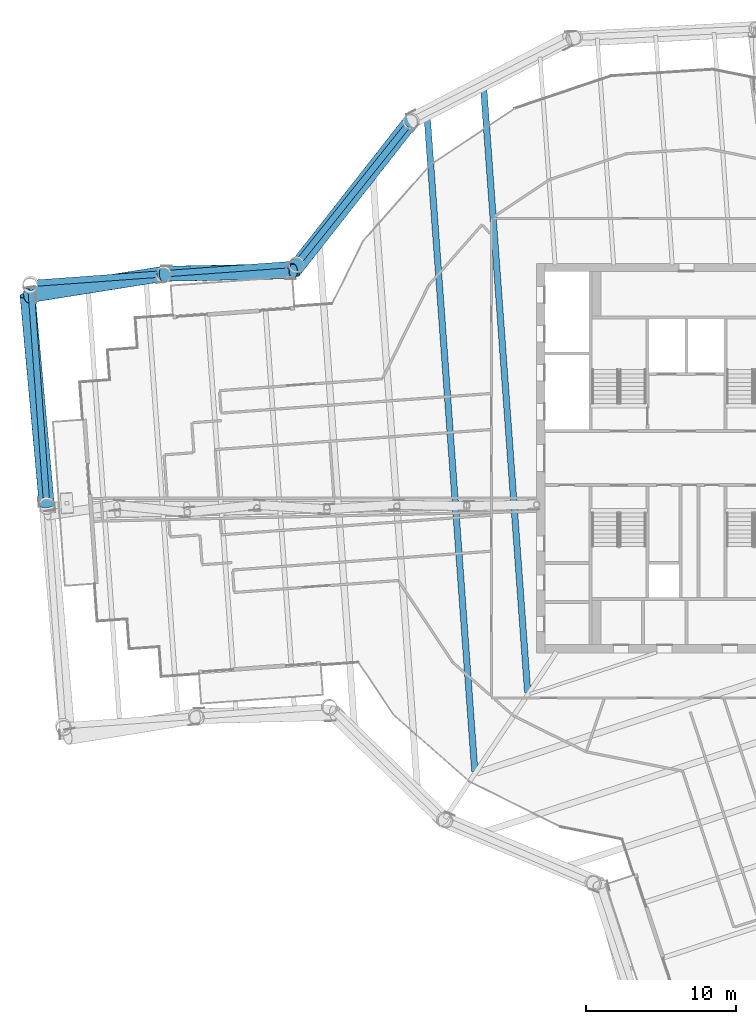
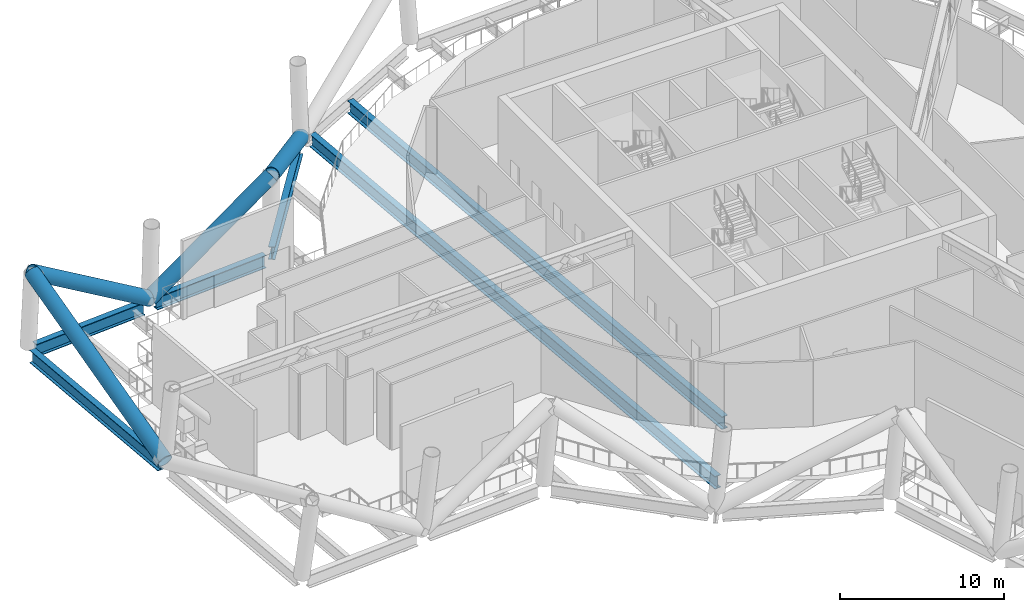
# One storey, part 5 of 33: 6 beams, 4 members.
"""IFC4 building model written with IfcOpenShell, lengths in metres."""

import ifcopenshell
import ifcopenshell.guid

model = None  # the IFC model being written
_history = None  # IfcOwnerHistory: only IFC2X3 demands one
_inside = {}  # id of a spatial element -> (the spatial element, [elements in it])
_under = {}  # id of a project, library or spatial element -> (it, [spatial elements below it])
_declared = {}  # id of a project -> (the project, [libraries it declares])
_typed = {}  # id of a type object -> (the type object, [elements of that type])
_made_of = {}  # id of a material, layer set ... -> (it, [elements and type objects made of it])


def new_model(schema):
    """Start an empty IFC model of exactly this schema.

    Asked for "IFC4X3", IfcOpenShell would pick the latest addendum, in which some entities
    have other attributes; the version numbers below select the first issue.
    IFC2X3 requires an IfcOwnerHistory on every rooted entity: one is made here for all.
    """
    global model, _history
    if schema == "IFC4X3":
        model = ifcopenshell.file(schema_version=(4, 3, 0, 0))
    else:
        model = ifcopenshell.file(schema=schema)
    _inside.clear()
    _under.clear()
    _declared.clear()
    _typed.clear()
    _made_of.clear()
    _history = None
    if model.schema == "IFC2X3":
        org = make("IfcOrganization", Name="unknown")
        user = make(
            "IfcPersonAndOrganization",
            ThePerson=make("IfcPerson", FamilyName="unknown"),
            TheOrganization=org,
        )
        app = make(
            "IfcApplication",
            ApplicationDeveloper=org,
            Version="unknown",
            ApplicationFullName="unknown",
            ApplicationIdentifier="unknown",
        )
        _history = make(
            "IfcOwnerHistory",
            OwningUser=user,
            OwningApplication=app,
            ChangeAction="ADDED",
            CreationDate=0,
        )
    return model


def make(cls, **values):
    """One entity of the class cls with the attributes given. An attribute that is None is left unset."""
    return model.create_entity(
        cls, **{name: value for name, value in values.items() if value is not None}
    )


def rooted(cls, **values):
    """An entity with a GlobalId (a new one), such as an element, a storey or a relation."""
    return make(cls, GlobalId=ifcopenshell.guid.new(), OwnerHistory=_history, **values)


def si_unit(unit_type, name, prefix=None):
    """IfcSIUnit, for example si_unit("LENGTHUNIT", "METRE", prefix="MILLI")."""
    return make("IfcSIUnit", UnitType=unit_type, Prefix=prefix, Name=name)


def assignment(units):
    """IfcUnitAssignment: the units of a project."""
    return None if units is None else make("IfcUnitAssignment", Units=units)


def point(xyz):
    """IfcCartesianPoint."""
    return None if xyz is None else make("IfcCartesianPoint", Coordinates=xyz)


def direction(xyz):
    """IfcDirection."""
    return None if xyz is None else make("IfcDirection", DirectionRatios=xyz)


def frame(location, z_axis=None, x_axis=None):
    """IfcAxis2Placement3D, a coordinate frame: its origin and axes. An axis left out is left unset."""
    return make(
        "IfcAxis2Placement3D",
        Location=point(location),
        Axis=direction(z_axis),
        RefDirection=direction(x_axis),
    )


def frame_2d(location, x_axis=None):
    """IfcAxis2Placement2D, a coordinate frame in the plane: its origin and x axis."""
    return make(
        "IfcAxis2Placement2D", Location=point(location), RefDirection=direction(x_axis)
    )


def origin():
    """The frame at (0, 0, 0) with its axes left unset."""
    return frame((0.0, 0.0, 0.0))


def origin_2d():
    """The frame at (0, 0) in the plane with its x axis left unset."""
    return frame_2d((0.0, 0.0))


def place(relative_to, where):
    """IfcLocalPlacement: puts the frame where relative to a parent placement (None: the world)."""
    return make(
        "IfcLocalPlacement", PlacementRelTo=relative_to, RelativePlacement=where
    )


def context(
    kind, dimensions, precision=None, world=None, true_north=None, identifier=None
):
    """IfcGeometricRepresentationContext, for example the 3D "Model" context."""
    return make(
        "IfcGeometricRepresentationContext",
        ContextIdentifier=identifier,
        ContextType=kind,
        CoordinateSpaceDimension=dimensions,
        Precision=precision,
        WorldCoordinateSystem=world,
        TrueNorth=true_north,
    )


def subcontext(parent, identifier, kind, view, scale=None):
    """IfcGeometricRepresentationSubContext, for example "Body" below "Model"."""
    return make(
        "IfcGeometricRepresentationSubContext",
        ContextIdentifier=identifier,
        ContextType=kind,
        ParentContext=parent,
        TargetScale=scale,
        TargetView=view,
    )


def project(units=None, contexts=None):
    """IfcProject with its units and contexts."""
    return rooted(
        "IfcProject",
        Name="project",
        RepresentationContexts=contexts,
        UnitsInContext=assignment(units),
    )


def spatial(cls, under=None, at=None, **own):
    """A site, building, storey or space (cls), placed at a placement, below another one or the project."""
    s = rooted(cls, ObjectPlacement=at, **own)
    if under is not None:
        _under.setdefault(under.id(), (under, []))[1].append(s)
    return s


def profile(cls, at=None, kind="AREA", **sizes):
    """A parametric profile (cls). Its sizes go by their IFC names, for example OverallWidth=200.0."""
    return make(cls, ProfileType=kind, Position=at, **sizes)


def hollow_circle(**sizes):
    """IfcCircleHollowProfileDef."""
    return profile("IfcCircleHollowProfileDef", **sizes)


def i_section(**sizes):
    """IfcIShapeProfileDef."""
    return profile("IfcIShapeProfileDef", **sizes)


def extrude(swept, where, along, depth):
    """IfcExtrudedAreaSolid: the profile swept, set in the frame where, extruded along a direction by depth."""
    return make(
        "IfcExtrudedAreaSolid",
        SweptArea=swept,
        Position=where,
        ExtrudedDirection=direction(along),
        Depth=depth,
    )


def shape(context_of_items, identifier, shape_type, items):
    """IfcShapeRepresentation: the items that make up one representation, for example the "Body"."""
    return make(
        "IfcShapeRepresentation",
        ContextOfItems=context_of_items,
        RepresentationIdentifier=identifier,
        RepresentationType=shape_type,
        Items=items,
    )


def material(Name=None, Category=None):
    """IfcMaterial."""
    return make("IfcMaterial", Name=Name, Category=Category)


def material_profile(
    of_material, cross_section, Name=None, Category=None, Priority=None
):
    """IfcMaterialProfile: a cross section and its material."""
    return make(
        "IfcMaterialProfile",
        Name=Name,
        Material=of_material,
        Profile=cross_section,
        Priority=Priority,
        Category=Category,
    )


def profile_set(profiles, Name=None, composite=None):
    """IfcMaterialProfileSet."""
    return make(
        "IfcMaterialProfileSet",
        Name=Name,
        MaterialProfiles=profiles,
        CompositeProfile=composite,
    )


def made_of(thing, what):
    """Note that an element or type object is made of a material, layer set ...; save() writes the relation."""
    if what is not None:
        _made_of.setdefault(what.id(), (what, []))[1].append(thing)
    return thing


def type_object(cls, material=None, **own):
    """A type object (cls), such as IfcWallType, which elements share."""
    return made_of(rooted(cls, **own), material)


def element(
    cls,
    number,
    at=None,
    inside=None,
    cuts=None,
    type_object=None,
    material=None,
    context=None,
    identifier="Body",
    shape_type=None,
    held_by="IfcProductDefinitionShape",
    body=None,
    shapes=None,
    **own,
):
    """One element of the class cls, such as IfcWall. Its Tag is "e" and its number.

    at: its placement. inside: the storey or other place that contains it. cuts: it is an
    opening in that element (IfcRelVoidsElement). A single representation is given by context,
    identifier, shape_type and body (its items); several are given by shapes. held_by: the class
    of the entity that holds the representations. save() writes the other relations.
    """
    e = rooted(cls, Tag="e%d" % number, ObjectPlacement=at, **own)
    if body is not None:
        shapes = [shape(context, identifier, shape_type, body)]
    if shapes is not None:
        e.Representation = make(held_by, Representations=shapes)
    if inside is not None:
        _inside.setdefault(inside.id(), (inside, []))[1].append(e)
    if cuts is not None:
        rooted(
            "IfcRelVoidsElement", RelatingBuildingElement=cuts, RelatedOpeningElement=e
        )
    if type_object is not None:
        _typed.setdefault(type_object.id(), (type_object, []))[1].append(e)
    return made_of(e, material)


def aggregate(whole, parts):
    """IfcRelAggregates: a whole, such as a stair, and the parts it consists of."""
    return rooted("IfcRelAggregates", RelatingObject=whole, RelatedObjects=parts)


def save(model, path):
    """Write the relations noted so far, then the file.

    IfcRelAggregates (storeys below a building ...), IfcRelContainedInSpatialStructure (elements
    in a storey), IfcRelDefinesByType, IfcRelAssociatesMaterial and IfcRelDeclares: one each for
    every whole, place, type object, material and project.
    """
    for whole, parts in _under.values():
        aggregate(whole, parts)
    for where, things in _inside.values():
        rooted(
            "IfcRelContainedInSpatialStructure",
            RelatedElements=things,
            RelatingStructure=where,
        )
    for kind, things in _typed.values():
        rooted("IfcRelDefinesByType", RelatedObjects=things, RelatingType=kind)
    for what, things in _made_of.values():
        rooted("IfcRelAssociatesMaterial", RelatedObjects=things, RelatingMaterial=what)
    for by, libraries in _declared.values():
        rooted("IfcRelDeclares", RelatingContext=by, RelatedDefinitions=libraries)
    model.write(path)


model = new_model("IFC4")

# Units and contexts
model_context = context("Model", 3, precision=1e-05, world=origin(), true_north=direction((0.0, 1.0)))
body_context = subcontext(model_context, "Body", "Model", "MODEL_VIEW")
ifc_project = project(units=[si_unit("LENGTHUNIT", "METRE"), si_unit("AREAUNIT", "SQUARE_METRE"), si_unit("VOLUMEUNIT", "CUBIC_METRE"), si_unit("PLANEANGLEUNIT", "RADIAN"), si_unit("MASSUNIT", "GRAM", prefix="KILO")], contexts=[model_context])

# Site, building, storey
site_placement = place(None, origin())
site = spatial("IfcSite", under=ifc_project, at=site_placement, CompositionType="ELEMENT")
building_placement = place(site_placement, origin())
building = spatial("IfcBuilding", under=site, at=building_placement, Name="Tarsis Ring Headquarters", CompositionType="ELEMENT")
storey_placement = place(building_placement, frame((0.0, 0.0, 302.0)))
storey = spatial("IfcBuildingStorey", under=building, at=storey_placement, Name="L71", CompositionType="ELEMENT", Elevation=302.0)

# Beams
ifc_material = material(Name="Structural steel S355", Category="steel")
ifc_material_profile_1 = material_profile(ifc_material, i_section(OverallWidth=0.42431640625, OverallDepth=0.947509765625, WebThickness=0.02392578125, FlangeThickness=0.042724609375, at=origin_2d()), Name="W36x302")
ifc_profile_set_1 = profile_set([ifc_material_profile_1], Name="Structural steel S355")
beam_type_1 = type_object("IfcBeamType", Name="FB Floor beam W36x302", PredefinedType="JOIST", material=ifc_profile_set_1)
beam_1_placement = place(storey_placement, frame((-13.537353515625, 24.836669921875, -0.773681640625), z_axis=(0.072543857256, -0.997365223363, 0.0), x_axis=(0.997365223363, 0.072543857256, 0.0)))
element("IfcBeam", 1, at=beam_1_placement, inside=storey, type_object=beam_type_1, Name="Floor beam FB12", PredefinedType="JOIST", context=body_context, shape_type="SweptSolid", body=[
    extrude(i_section(OverallWidth=0.42431640625, OverallDepth=0.947509765625, WebThickness=0.02392578125, FlangeThickness=0.042724609375, at=origin_2d()), origin(), (0.0, 0.0, 1.0), 40.576904296875),
])
beam_2_placement = place(storey_placement, frame((-17.307861328125, 22.9140625, -0.773681640625), z_axis=(0.072545346279, -0.997365115057, 0.0), x_axis=(0.997365115057, 0.072545346279, 0.0)))
element("IfcBeam", 2, at=beam_2_placement, inside=storey, type_object=beam_type_1, Name="Floor beam FB12", PredefinedType="JOIST", context=body_context, shape_type="SweptSolid", body=[
    extrude(i_section(OverallWidth=0.42431640625, OverallDepth=0.947509765625, WebThickness=0.02392578125, FlangeThickness=0.042724609375, at=origin_2d()), origin(), (0.0, 0.0, 1.0), 43.924560546875),
])

# Members
ifc_material_profile_2 = material_profile(ifc_material, hollow_circle(Radius=0.508056640625, WallThickness=0.0400390625, at=origin_2d()), Name="CHS 1016x40")
ifc_profile_set_2 = profile_set([ifc_material_profile_2], Name="Structural steel S355")
member_type = type_object("IfcMemberType", Name="TD Belt truss diagonal CHS 1016x40", PredefinedType="BRACE", material=ifc_profile_set_2)
member_1_placement = place(storey_placement, frame((-18.3544921875, 22.514892578125, 0.0), z_axis=(-0.558691259871, -0.711957020209, 0.425418943535), x_axis=(0.78669585488, -0.617340774544, 0.0)))
element("IfcMember", 3, at=member_1_placement, inside=storey, type_object=member_type, Name="Belt truss diagonal TD6", PredefinedType="BRACE", context=body_context, shape_type="SweptSolid", body=[
    extrude(hollow_circle(Radius=0.508056640625, WallThickness=0.0400390625, at=origin_2d()), origin(), (0.0, 0.0, 1.0), 14.103759765625),
])
member_2_placement = place(storey_placement, frame((-34.882080078125, 12.302001953125, 0.0), z_axis=(0.821506397145, 0.016303963559, 0.569966157084), x_axis=(-0.019842515721, 0.999803117904, 0.0)))
element("IfcMember", 4, at=member_2_placement, inside=storey, type_object=member_type, Name="Belt truss diagonal TD6", PredefinedType="BRACE", context=body_context, shape_type="SweptSolid", body=[
    extrude(hollow_circle(Radius=0.508056640625, WallThickness=0.0400390625, at=origin_2d()), origin(), (0.0, 0.0, 1.0), 10.52685546875),
])
member_3_placement = place(storey_placement, frame((-34.882080078125, 12.302001953125, 0.0), z_axis=(-0.827171515877, -0.131306947259, 0.546393419546), x_axis=(0.156779052339, -0.987633701707, 0.0)))
element("IfcMember", 5, at=member_3_placement, inside=storey, type_object=member_type, Name="Belt truss diagonal TD6", PredefinedType="BRACE", context=body_context, shape_type="SweptSolid", body=[
    extrude(hollow_circle(Radius=0.508056640625, WallThickness=0.0400390625, at=origin_2d()), origin(), (0.0, 0.0, 1.0), 10.981201171875),
])
member_4_placement = place(storey_placement, frame((-42.687255859375, -3.104736328125, 0.0), z_axis=(-0.08379245071, 0.915554571271, 0.393368341671), x_axis=(-0.995838082471, -0.091140076254, 0.0)))
element("IfcMember", 6, at=member_4_placement, inside=storey, type_object=member_type, Name="Belt truss diagonal TD6", PredefinedType="BRACE", context=body_context, shape_type="SweptSolid", body=[
    extrude(hollow_circle(Radius=0.508056640625, WallThickness=0.0400390625, at=origin_2d()), origin(), (0.0, 0.0, 1.0), 15.2529296875),
])

# Beams
beam_type_2 = type_object("IfcBeamType", Name="XG Ring girder W36x302", PredefinedType="BEAM", material=ifc_profile_set_1)
beam_3_placement = place(storey_placement, frame((-18.64013671875, 22.157958984375, -0.4736328125), z_axis=(-0.624437587231, -0.781074708112, 0.0), x_axis=(0.781074708112, -0.624437587231, 0.0)))
element("IfcBeam", 7, at=beam_3_placement, inside=storey, type_object=beam_type_2, Name="Ring girder XG1", PredefinedType="BEAM", context=body_context, shape_type="SweptSolid", body=[
    extrude(i_section(OverallWidth=0.42431640625, OverallDepth=0.947509765625, WebThickness=0.02392578125, FlangeThickness=0.042724609375, at=origin_2d()), origin(), (0.0, 0.0, 1.0), 11.33447265625),
])
for number, where, z_axis, x_axis, name in (
    (8, (-26.459228515625, 12.91455078125, -0.4736328125), (-0.997366339567, -0.072528509555, 0.0), (0.072528509555, -0.997366339567, 0.0), "Ring girder XG1"),
    (9, (-35.338134765625, 12.268798828125, -0.4736328125), (-0.997366339567, -0.072528509555, 0.0), (0.072528509555, -0.997366339567, 0.0), "Ring girder XG1"),
):
    element("IfcBeam", number, at=place(storey_placement, frame(where, z_axis=z_axis, x_axis=x_axis)), inside=storey, type_object=beam_type_2, Name=name, PredefinedType="BEAM", context=body_context, shape_type="SweptSolid", body=[
        extrude(i_section(OverallWidth=0.42431640625, OverallDepth=0.947509765625, WebThickness=0.02392578125, FlangeThickness=0.042724609375, at=origin_2d()), origin(), (0.0, 0.0, 1.0), 7.98779296875),
    ])
beam_4_placement = place(storey_placement, frame((-43.727783203125, 11.2001953125, -0.4736328125), z_axis=(0.07254523575, -0.997365123097, 0.0), x_axis=(0.997365123097, 0.07254523575, 0.0)))
element("IfcBeam", 10, at=beam_4_placement, inside=storey, type_object=beam_type_2, Name="Ring girder XG1", PredefinedType="BEAM", context=body_context, shape_type="SweptSolid", body=[
    extrude(i_section(OverallWidth=0.42431640625, OverallDepth=0.947509765625, WebThickness=0.02392578125, FlangeThickness=0.042724609375, at=origin_2d()), origin(), (0.0, 0.0, 1.0), 13.885498046875),
])

save(model, "model.ifc")
